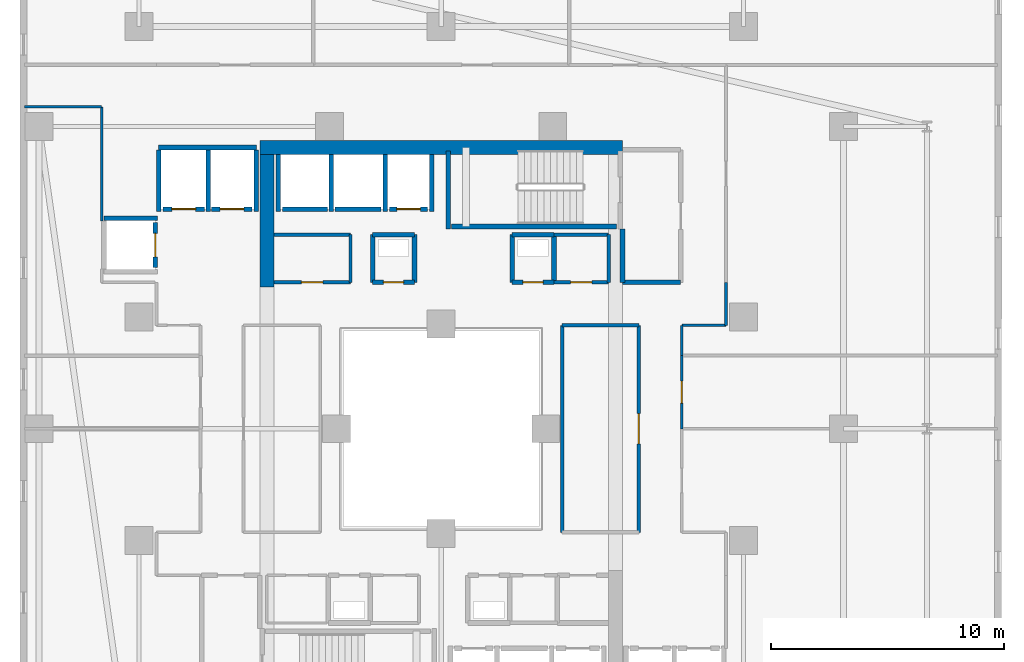
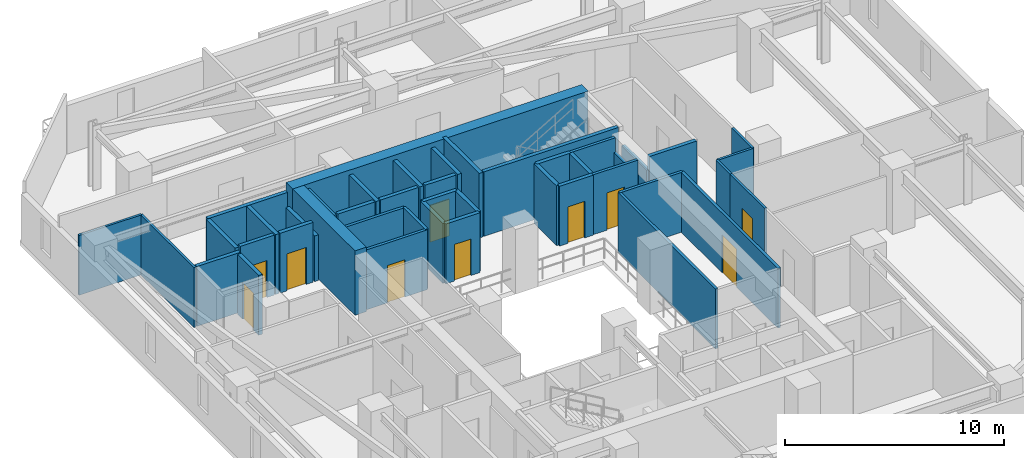
# One storey, part 18 of 31: 44 walls, 10 doors, 10 openings.
"""IFC4 building model written with IfcOpenShell, lengths in metres."""

from ifc_helpers import new_model, si_unit, direction, frame, frame_2d, origin, place, context, subcontext, project, spatial, rectangle, extrude, material, layer, layer_set, type_object, element, fill, save


model = new_model("IFC4")

# Units and contexts
model_context = context("Model", 3, precision=1e-05, world=origin(), true_north=direction((0.0, 1.0)))
body_context = subcontext(model_context, "Body", "Model", "MODEL_VIEW")
ifc_project = project(units=[si_unit("LENGTHUNIT", "METRE"), si_unit("AREAUNIT", "SQUARE_METRE"), si_unit("VOLUMEUNIT", "CUBIC_METRE"), si_unit("PLANEANGLEUNIT", "RADIAN"), si_unit("MASSUNIT", "GRAM", prefix="KILO")], contexts=[model_context])

# Site, building, storey
site_placement = place(None, origin())
site = spatial("IfcSite", under=ifc_project, at=site_placement, CompositionType="ELEMENT")
building_placement = place(site_placement, origin())
building = spatial("IfcBuilding", under=site, at=building_placement, Name="Thornwick Lancets Civic Towers", CompositionType="ELEMENT")
storey_placement = place(building_placement, frame((0.0, 0.0, 87.300048828125)))
storey = spatial("IfcBuildingStorey", under=building, at=storey_placement, Name="L22", CompositionType="ELEMENT", Elevation=87.300048828125)

# Wall, opening, door
ifc_material_1 = material(Name="Concrete blockwork C40/50", Category="masonry")
ifc_layer_1 = layer(ifc_material_1, 0.199951171875, Name="Concrete blockwork C40/50")
ifc_layer_set_1 = layer_set([ifc_layer_1], Name="Concrete blockwork C40/50")
wall_type_1 = type_object("IfcWallType", Name="WALL_COMP_200", PredefinedType="STANDARD", material=ifc_layer_set_1)
wall_1_placement = place(storey_placement, frame((24.919921875, 36.449951171875, 0.0), z_axis=(0.0, 0.0, 1.0), x_axis=(-1.0, 0.0, 0.0)))
wall_1 = element("IfcWall", 1, at=wall_1_placement, inside=storey, type_object=wall_type_1, Name="L22 Hoistway Front Wall FL-A2", PredefinedType="STANDARD", context=body_context, shape_type="SweptSolid", body=[
    extrude(rectangle(XDim=1.639892578125, YDim=0.199951171875, at=frame_2d((0.81982421875, 0.0))), origin(), (0.0, 0.0, 1.0), 3.33984375),
])
opening_1_placement = place(wall_1_placement, frame((0.31005859375, 0.0, 0.0)))
opening_1 = element("IfcOpeningElement", 2, at=opening_1_placement, cuts=wall_1, Name="Opening LD-FL-A2", PredefinedType="OPENING", context=body_context, shape_type="SweptSolid", body=[
    extrude(rectangle(XDim=1.02001953125, YDim=2.06005859375, at=frame_2d((0.510009765625, 1.030029296875))), frame((0.0, 0.10986328125, 0.0), z_axis=(0.0, -1.0, 0.0), x_axis=(1.0, 0.0, 0.0)), (0.0, 0.0, 1.0), 0.219970703125),
])
ifc_material_2 = material(Name="Brushed bronze stainless steel", Category="steel")
door_type_1 = type_object("IfcDoorType", Name="DOOR_LIFT_SLIDE", OperationType="SLIDING_TO_LEFT", PredefinedType="DOOR", material=ifc_material_2)
door_1_placement = place(opening_1_placement, origin())
door_1 = element("IfcDoor", 3, at=door_1_placement, inside=storey, type_object=door_type_1, Name="L22 Sliding Lift Landing Door LD-FL-A2", OperationType="SLIDING_TO_LEFT", OverallHeight=2.06005859375, OverallWidth=1.02001953125, PredefinedType="DOOR", context=body_context, shape_type="SweptSolid", body=[
    extrude(rectangle(XDim=1.02001953125, YDim=2.06005859375, at=frame_2d((0.510009765625, 1.030029296875))), frame((0.0, 0.02490234375, 0.0), z_axis=(0.0, -1.0, 0.0), x_axis=(1.0, 0.0, 0.0)), (0.0, 0.0, 1.0), 0.050048828125),
])
fill(opening_1, door_1)

# Walls
wall_2_placement = place(storey_placement, frame((22.919921875, 36.449951171875, 0.0), z_axis=(0.0, 0.0, 1.0), x_axis=(-1.0, 0.0, 0.0)))
element("IfcWall", 4, at=wall_2_placement, inside=storey, type_object=wall_type_1, Name="L22 Hoistway Front Wall PL-AH2", PredefinedType="STANDARD", context=body_context, shape_type="SweptSolid", body=[
    extrude(rectangle(XDim=1.989990234375, YDim=0.199951171875, at=frame_2d((0.9951171875, 0.0))), origin(), (0.0, 0.0, 1.0), 3.33984375),
])
wall_3_placement = place(storey_placement, frame((20.6201171875, 36.449951171875, 0.0), z_axis=(0.0, 0.0, 1.0), x_axis=(-1.0, 0.0, 0.0)))
element("IfcWall", 5, at=wall_3_placement, inside=storey, type_object=wall_type_1, Name="L22 Hoistway Front Wall PL-AH3", PredefinedType="STANDARD", context=body_context, shape_type="SweptSolid", body=[
    extrude(rectangle(XDim=1.940185546875, YDim=0.199951171875, at=frame_2d((0.97021484375, 0.0))), origin(), (0.0, 0.0, 1.0), 3.33984375),
])

# Wall, opening, door
wall_4_placement = place(storey_placement, frame((17.3701171875, 36.449951171875, 0.0), z_axis=(0.0, 0.0, 1.0), x_axis=(-1.0, 0.0, 0.0)))
wall_4 = element("IfcWall", 6, at=wall_4_placement, inside=storey, type_object=wall_type_1, Name="L22 Hoistway Front Wall PL-AM1", PredefinedType="STANDARD", context=body_context, shape_type="SweptSolid", body=[
    extrude(rectangle(XDim=1.740234375, YDim=0.199951171875, at=frame_2d((0.8701171875, 0.0))), origin(), (0.0, 0.0, 1.0), 3.33984375),
])
opening_2_placement = place(wall_4_placement, frame((0.360107421875, 0.0, 0.0)))
opening_2 = element("IfcOpeningElement", 7, at=opening_2_placement, cuts=wall_4, Name="Opening LD-PL-AM1", PredefinedType="OPENING", context=body_context, shape_type="SweptSolid", body=[
    extrude(rectangle(XDim=1.02001953125, YDim=2.06005859375, at=frame_2d((0.510009765625, 1.030029296875))), frame((0.0, 0.10986328125, 0.0), z_axis=(0.0, -1.0, 0.0), x_axis=(1.0, 0.0, 0.0)), (0.0, 0.0, 1.0), 0.219970703125),
])
door_2_placement = place(opening_2_placement, origin())
door_2 = element("IfcDoor", 8, at=door_2_placement, inside=storey, type_object=door_type_1, Name="L22 Sliding Lift Landing Door LD-PL-AM1", OperationType="SLIDING_TO_LEFT", OverallHeight=2.06005859375, OverallWidth=1.02001953125, PredefinedType="DOOR", context=body_context, shape_type="SweptSolid", body=[
    extrude(rectangle(XDim=1.02001953125, YDim=2.06005859375, at=frame_2d((0.510009765625, 1.030029296875))), frame((0.0, 0.02490234375, 0.0), z_axis=(0.0, -1.0, 0.0), x_axis=(1.0, 0.0, 0.0)), (0.0, 0.0, 1.0), 0.050048828125),
])
fill(opening_2, door_2)

wall_5_placement = place(storey_placement, frame((15.320068359375, 36.449951171875, 0.0), z_axis=(0.0, 0.0, 1.0), x_axis=(-1.0, 0.0, 0.0)))
wall_5 = element("IfcWall", 9, at=wall_5_placement, inside=storey, type_object=wall_type_1, Name="L22 Hoistway Front Wall PL-AM2", PredefinedType="STANDARD", context=body_context, shape_type="SweptSolid", body=[
    extrude(rectangle(XDim=1.7900390625, YDim=0.199951171875, at=frame_2d((0.89501953125, 0.0))), origin(), (0.0, 0.0, 1.0), 3.33984375),
])
opening_3_placement = place(wall_5_placement, frame((0.385009765625, 0.0, 0.0)))
opening_3 = element("IfcOpeningElement", 10, at=opening_3_placement, cuts=wall_5, Name="Opening LD-PL-AM2", PredefinedType="OPENING", context=body_context, shape_type="SweptSolid", body=[
    extrude(rectangle(XDim=1.02001953125, YDim=2.06005859375, at=frame_2d((0.510009765625, 1.030029296875))), frame((0.0, 0.10986328125, 0.0), z_axis=(0.0, -1.0, 0.0), x_axis=(1.0, 0.0, 0.0)), (0.0, 0.0, 1.0), 0.219970703125),
])
door_3_placement = place(opening_3_placement, origin())
door_3 = element("IfcDoor", 11, at=door_3_placement, inside=storey, type_object=door_type_1, Name="L22 Sliding Lift Landing Door LD-PL-AM2", OperationType="SLIDING_TO_LEFT", OverallHeight=2.06005859375, OverallWidth=1.02001953125, PredefinedType="DOOR", context=body_context, shape_type="SweptSolid", body=[
    extrude(rectangle(XDim=1.02001953125, YDim=2.06005859375, at=frame_2d((0.510009765625, 1.030029296875))), frame((0.0, 0.02490234375, 0.0), z_axis=(0.0, -1.0, 0.0), x_axis=(1.0, 0.0, 0.0)), (0.0, 0.0, 1.0), 0.050048828125),
])
fill(opening_3, door_3)

wall_6_placement = place(storey_placement, frame((13.199951171875, 33.929931640625, 0.0), z_axis=(0.0, 0.0, 1.0), x_axis=(0.0, 1.0, 0.0)))
wall_6 = element("IfcWall", 12, at=wall_6_placement, inside=storey, type_object=wall_type_1, Name="L22 Hoistway Front Wall PL-AM3", PredefinedType="STANDARD", context=body_context, shape_type="SweptSolid", body=[
    extrude(rectangle(XDim=1.940185546875, YDim=0.199951171875, at=frame_2d((0.97021484375, 0.0))), origin(), (0.0, 0.0, 1.0), 3.33984375),
])
opening_4_placement = place(wall_6_placement, frame((0.4599609375, 0.0, 0.0)))
opening_4 = element("IfcOpeningElement", 13, at=opening_4_placement, cuts=wall_6, Name="Opening LD-PL-AM3", PredefinedType="OPENING", context=body_context, shape_type="SweptSolid", body=[
    extrude(rectangle(XDim=1.02001953125, YDim=2.06005859375, at=frame_2d((0.510009765625, 1.030029296875))), frame((0.0, 0.10986328125, 0.0), z_axis=(0.0, -1.0, 0.0), x_axis=(1.0, 0.0, 0.0)), (0.0, 0.0, 1.0), 0.219970703125),
])
door_4_placement = place(opening_4_placement, origin())
door_4 = element("IfcDoor", 14, at=door_4_placement, inside=storey, type_object=door_type_1, Name="L22 Sliding Lift Landing Door LD-PL-AM3", OperationType="SLIDING_TO_LEFT", OverallHeight=2.06005859375, OverallWidth=1.02001953125, PredefinedType="DOOR", context=body_context, shape_type="SweptSolid", body=[
    extrude(rectangle(XDim=1.02001953125, YDim=2.06005859375, at=frame_2d((0.510009765625, 1.030029296875))), frame((0.0, 0.02490234375, 0.0), z_axis=(0.0, -1.0, 0.0), x_axis=(1.0, 0.0, 0.0)), (0.0, 0.0, 1.0), 0.050048828125),
])
fill(opening_4, door_4)

# Walls
for number, where, z_axis, x_axis, name in (
    (15, (25.10009765625, 36.35205078125, 0.0), (0.0, 0.0, 1.0), (0.0, 1.0, 0.0), "L22 Hoistway Shaft Wall FL-A2 E"),
    (16, (23.10009765625, 36.35205078125, 0.0), (0.0, 0.0, 1.0), (0.0, 1.0, 0.0), "L22 Hoistway Shaft Wall FL-A2 W"),
    (17, (20.77490234375, 36.35205078125, 0.0), (0.0, 0.0, 1.0), (0.0, 1.0, 0.0), "L22 Hoistway Shaft Wall PL-AH2 W"),
    (18, (18.5, 36.35205078125, 0.0), (0.0, 0.0, 1.0), (0.0, 1.0, 0.0), "L22 Hoistway Shaft Wall PL-AH3 W"),
):
    element("IfcWall", number, at=place(storey_placement, frame(where, z_axis=z_axis, x_axis=x_axis)), inside=storey, type_object=wall_type_1, Name=name, PredefinedType="STANDARD", context=body_context, shape_type="SweptSolid", body=[
        extrude(rectangle(XDim=2.43603515625, YDim=0.199951171875, at=frame_2d((1.218017578125, 0.0))), origin(), (0.0, 0.0, 1.0), 3.33984375),
    ])
wall_7_placement = place(storey_placement, frame((13.35205078125, 39.10009765625, 0.0), z_axis=(0.0, 0.0, 1.0), x_axis=(1.0, 0.0, 0.0)))
element("IfcWall", 19, at=wall_7_placement, inside=storey, type_object=wall_type_1, Name="L22 Hoistway Shaft Wall PL-AM1 N", PredefinedType="STANDARD", context=body_context, shape_type="SweptSolid", body=[
    extrude(rectangle(XDim=4.196044921875, YDim=0.199951171875, at=frame_2d((2.09814453125, 0.0))), origin(), (0.0, 0.0, 1.0), 3.33984375),
])
wall_8_placement = place(storey_placement, frame((17.550048828125, 36.35205078125, 0.0), z_axis=(0.0, 0.0, 1.0), x_axis=(0.0, 1.0, 0.0)))
element("IfcWall", 20, at=wall_8_placement, inside=storey, type_object=wall_type_1, Name="L22 Hoistway Shaft Wall PL-AM1 E", PredefinedType="STANDARD", context=body_context, shape_type="SweptSolid", body=[
    extrude(rectangle(XDim=2.635986328125, YDim=0.199951171875, at=frame_2d((1.31787109375, 0.0))), origin(), (0.0, 0.0, 1.0), 2.544921875),
])
for number, where, z_axis, x_axis, name in (
    (21, (15.47509765625, 36.35205078125, 0.0), (0.0, 0.0, 1.0), (0.0, 1.0, 0.0), "L22 Hoistway Shaft Wall PL-AM1 W"),
    (22, (13.35009765625, 36.35205078125, 0.0), (0.0, 0.0, 1.0), (0.0, 1.0, 0.0), "L22 Hoistway Shaft Wall PL-AM2 W"),
):
    element("IfcWall", number, at=place(storey_placement, frame(where, z_axis=z_axis, x_axis=x_axis)), inside=storey, type_object=wall_type_1, Name=name, PredefinedType="STANDARD", context=body_context, shape_type="SweptSolid", body=[
        extrude(rectangle(XDim=2.635986328125, YDim=0.199951171875, at=frame_2d((1.31787109375, 0.0))), origin(), (0.0, 0.0, 1.0), 3.33984375),
    ])
wall_9_placement = place(storey_placement, frame((11.001953125, 36.050048828125, 0.0), z_axis=(0.0, 0.0, 1.0), x_axis=(1.0, 0.0, 0.0)))
element("IfcWall", 23, at=wall_9_placement, inside=storey, type_object=wall_type_1, Name="L22 Hoistway Shaft Wall PL-AM3 N", PredefinedType="STANDARD", context=body_context, shape_type="SweptSolid", body=[
    extrude(rectangle(XDim=2.296142578125, YDim=0.199951171875, at=frame_2d((1.14794921875, 0.0))), origin(), (0.0, 0.0, 1.0), 3.33984375),
])
wall_10_placement = place(storey_placement, frame((33.300048828125, 33.300048828125, 0.0), z_axis=(0.0, 0.0, 1.0), x_axis=(1.0, 0.0, 0.0)))
element("IfcWall", 24, at=wall_10_placement, inside=storey, type_object=wall_type_1, Name="L22 Partition L22-A-FFLOB2 E1", PredefinedType="STANDARD", context=body_context, shape_type="SweptSolid", body=[
    extrude(rectangle(XDim=2.5, YDim=0.199951171875, at=frame_2d((1.25, 0.0))), origin(), (0.0, 0.0, 1.0), 3.33984375),
])
wall_11_placement = place(storey_placement, frame((33.300048828125, 35.60009765625, 0.0), z_axis=(0.0, 0.0, 1.0), x_axis=(0.0, -1.0, 0.0)))
element("IfcWall", 25, at=wall_11_placement, inside=storey, type_object=wall_type_1, Name="L22 Partition L22-A-FFLOB2 E4", PredefinedType="STANDARD", context=body_context, shape_type="SweptSolid", body=[
    extrude(rectangle(XDim=2.300048828125, YDim=0.199951171875, at=frame_2d((1.14990234375, 0.0))), origin(), (0.0, 0.0, 1.0), 2.544921875),
])

# Wall, opening, door
wall_12_placement = place(storey_placement, frame((22.550048828125, 33.300048828125, 0.0), z_axis=(0.0, 0.0, 1.0), x_axis=(1.0, 0.0, 0.0)))
wall_12 = element("IfcWall", 26, at=wall_12_placement, inside=storey, type_object=wall_type_1, Name="L22 Partition L22-A-DUCT2 E1", PredefinedType="STANDARD", context=body_context, shape_type="SweptSolid", body=[
    extrude(rectangle(XDim=1.800048828125, YDim=0.199951171875, at=frame_2d((0.89990234375, 0.0))), origin(), (0.0, 0.0, 1.0), 3.33984375),
])
opening_5_placement = place(wall_12_placement, frame((0.4599609375, 0.0, 0.0)))
opening_5 = element("IfcOpeningElement", 27, at=opening_5_placement, cuts=wall_12, Name="Opening D-L22-1011", PredefinedType="OPENING", context=body_context, shape_type="SweptSolid", body=[
    extrude(rectangle(XDim=0.8798828125, YDim=2.0400390625, at=frame_2d((0.43994140625, 1.02001953125))), frame((0.0, 0.10986328125, 0.0), z_axis=(0.0, -1.0, 0.0), x_axis=(1.0, 0.0, 0.0)), (0.0, 0.0, 1.0), 0.219970703125),
])
ifc_material_3 = material(Name="Steel riser access doorset", Category="steel")
door_type_2 = type_object("IfcDoorType", Name="DOOR_RISER_850", OperationType="NOTDEFINED", PredefinedType="DOOR", material=ifc_material_3)
door_5_placement = place(opening_5_placement, origin())
door_5 = element("IfcDoor", 28, at=door_5_placement, inside=storey, type_object=door_type_2, Name="L22 North Service Duct 2 Door", OperationType="SINGLE_SWING_RIGHT", OverallHeight=2.0400390625, OverallWidth=0.8798828125, PredefinedType="DOOR", context=body_context, shape_type="SweptSolid", body=[
    extrude(rectangle(XDim=0.8798828125, YDim=2.0400390625, at=frame_2d((0.43994140625, 1.02001953125))), frame((0.0, 0.02490234375, 0.0), z_axis=(0.0, -1.0, 0.0), x_axis=(1.0, 0.0, 0.0)), (0.0, 0.0, 1.0), 0.050048828125),
])
fill(opening_5, door_5)

# Walls
wall_13_placement = place(storey_placement, frame((24.35009765625, 33.300048828125, 0.0), z_axis=(0.0, 0.0, 1.0), x_axis=(0.0, 1.0, 0.0)))
element("IfcWall", 29, at=wall_13_placement, inside=storey, type_object=wall_type_1, Name="L22 Partition L22-A-DUCT2 E2", PredefinedType="STANDARD", context=body_context, shape_type="SweptSolid", body=[
    extrude(rectangle(XDim=2.050048828125, YDim=0.199951171875, at=frame_2d((1.02490234375, 0.0))), origin(), (0.0, 0.0, 1.0), 3.33984375),
])
wall_14_placement = place(storey_placement, frame((24.35009765625, 35.35009765625, 0.0), z_axis=(0.0, 0.0, 1.0), x_axis=(-1.0, 0.0, 0.0)))
element("IfcWall", 30, at=wall_14_placement, inside=storey, type_object=wall_type_1, Name="L22 Partition L22-A-DUCT2 E3", PredefinedType="STANDARD", context=body_context, shape_type="SweptSolid", body=[
    extrude(rectangle(XDim=1.800048828125, YDim=0.199951171875, at=frame_2d((0.89990234375, 0.0))), origin(), (0.0, 0.0, 1.0), 3.33984375),
])
wall_15_placement = place(storey_placement, frame((22.550048828125, 35.35009765625, 0.0), z_axis=(0.0, 0.0, 1.0), x_axis=(0.0, -1.0, 0.0)))
element("IfcWall", 31, at=wall_15_placement, inside=storey, type_object=wall_type_1, Name="L22 Partition L22-A-DUCT2 E4", PredefinedType="STANDARD", context=body_context, shape_type="SweptSolid", body=[
    extrude(rectangle(XDim=2.050048828125, YDim=0.199951171875, at=frame_2d((1.02490234375, 0.0))), origin(), (0.0, 0.0, 1.0), 3.33984375),
])

# Wall, opening, door
wall_16_placement = place(storey_placement, frame((28.550048828125, 33.300048828125, 0.0), z_axis=(0.0, 0.0, 1.0), x_axis=(1.0, 0.0, 0.0)))
wall_16 = element("IfcWall", 32, at=wall_16_placement, inside=storey, type_object=wall_type_1, Name="L22 Partition L22-A-RISER2 E1", PredefinedType="STANDARD", context=body_context, shape_type="SweptSolid", body=[
    extrude(rectangle(XDim=1.800048828125, YDim=0.199951171875, at=frame_2d((0.89990234375, 0.0))), origin(), (0.0, 0.0, 1.0), 3.33984375),
])
opening_6_placement = place(wall_16_placement, frame((0.4599609375, 0.0, 0.0)))
opening_6 = element("IfcOpeningElement", 33, at=opening_6_placement, cuts=wall_16, Name="Opening D-L22-1012", PredefinedType="OPENING", context=body_context, shape_type="SweptSolid", body=[
    extrude(rectangle(XDim=0.8798828125, YDim=2.0400390625, at=frame_2d((0.43994140625, 1.02001953125))), frame((0.0, 0.10986328125, 0.0), z_axis=(0.0, -1.0, 0.0), x_axis=(1.0, 0.0, 0.0)), (0.0, 0.0, 1.0), 0.219970703125),
])
door_6_placement = place(opening_6_placement, origin())
door_6 = element("IfcDoor", 34, at=door_6_placement, inside=storey, type_object=door_type_2, Name="L22 North Service Riser 2 Door", OperationType="SINGLE_SWING_LEFT", OverallHeight=2.0400390625, OverallWidth=0.8798828125, PredefinedType="DOOR", context=body_context, shape_type="SweptSolid", body=[
    extrude(rectangle(XDim=0.8798828125, YDim=2.0400390625, at=frame_2d((0.43994140625, 1.02001953125))), frame((0.0, 0.02490234375, 0.0), z_axis=(0.0, -1.0, 0.0), x_axis=(1.0, 0.0, 0.0)), (0.0, 0.0, 1.0), 0.050048828125),
])
fill(opening_6, door_6)

# Walls
wall_17_placement = place(storey_placement, frame((30.35009765625, 33.300048828125, 0.0), z_axis=(0.0, 0.0, 1.0), x_axis=(0.0, 1.0, 0.0)))
element("IfcWall", 35, at=wall_17_placement, inside=storey, type_object=wall_type_1, Name="L22 Partition L22-A-RISER2 E2", PredefinedType="STANDARD", context=body_context, shape_type="SweptSolid", body=[
    extrude(rectangle(XDim=2.050048828125, YDim=0.199951171875, at=frame_2d((1.02490234375, 0.0))), origin(), (0.0, 0.0, 1.0), 3.33984375),
])
wall_18_placement = place(storey_placement, frame((30.35009765625, 35.35009765625, 0.0), z_axis=(0.0, 0.0, 1.0), x_axis=(-1.0, 0.0, 0.0)))
element("IfcWall", 36, at=wall_18_placement, inside=storey, type_object=wall_type_1, Name="L22 Partition L22-A-RISER2 E3", PredefinedType="STANDARD", context=body_context, shape_type="SweptSolid", body=[
    extrude(rectangle(XDim=1.800048828125, YDim=0.199951171875, at=frame_2d((0.89990234375, 0.0))), origin(), (0.0, 0.0, 1.0), 3.33984375),
])
wall_19_placement = place(storey_placement, frame((28.550048828125, 35.35009765625, 0.0), z_axis=(0.0, 0.0, 1.0), x_axis=(0.0, -1.0, 0.0)))
element("IfcWall", 37, at=wall_19_placement, inside=storey, type_object=wall_type_1, Name="L22 Partition L22-A-RISER2 E4", PredefinedType="STANDARD", context=body_context, shape_type="SweptSolid", body=[
    extrude(rectangle(XDim=2.050048828125, YDim=0.199951171875, at=frame_2d((1.02490234375, 0.0))), origin(), (0.0, 0.0, 1.0), 3.33984375),
])
ifc_material_4 = material(Name="Concrete C60/75", Category="concrete")
ifc_layer_2 = layer(ifc_material_4, 0.60009765625, Name="Concrete C60/75")
ifc_layer_set_2 = layer_set([ifc_layer_2], Name="Concrete C60/75")
wall_type_2 = type_object("IfcWallType", Name="WALL_CORE_600", PredefinedType="SHEAR", material=ifc_layer_set_2)
wall_20_placement = place(storey_placement, frame((17.699951171875, 39.10009765625, 0.0), z_axis=(0.0, 0.0, 1.0), x_axis=(1.0, 0.0, 0.0)))
element("IfcWall", 38, at=wall_20_placement, inside=storey, type_object=wall_type_2, Name="L22 Split Core A2 Shear Wall N", PredefinedType="SHEAR", context=body_context, shape_type="SweptSolid", body=[
    extrude(rectangle(XDim=15.60009765625, YDim=0.60009765625, at=frame_2d((7.800048828125, 0.0))), origin(), (0.0, 0.0, 1.0), 3.599853515625),
])
wall_21_placement = place(storey_placement, frame((18.0, 33.10009765625, 0.0), z_axis=(0.0, 0.0, 1.0), x_axis=(0.0, 1.0, 0.0)))
element("IfcWall", 39, at=wall_21_placement, inside=storey, type_object=wall_type_2, Name="L22 Split Core A2 Shear Wall W", PredefinedType="SHEAR", context=body_context, shape_type="SweptSolid", body=[
    extrude(rectangle(XDim=5.699951171875, YDim=0.60009765625, at=frame_2d((2.85009765625, 0.0))), origin(), (0.0, 0.0, 1.0), 3.599853515625),
])
ifc_material_5 = material(Name="Acoustic gypsum board partition")
ifc_layer_3 = layer(ifc_material_5, 0.1201171875, Name="Acoustic gypsum board partition")
ifc_layer_set_3 = layer_set([ifc_layer_3], Name="Acoustic gypsum board partition")
wall_type_3 = type_object("IfcWallType", Name="WALL_PART_120", PredefinedType="PARTITIONING", material=ifc_layer_set_3)
wall_22_placement = place(storey_placement, frame((7.580078125, 40.85009765625, 0.0), z_axis=(0.0, 0.0, 1.0), x_axis=(1.0, 0.0, 0.0)))
element("IfcWall", 40, at=wall_22_placement, inside=storey, type_object=wall_type_3, Name="L22 Partition L22-A-W3 E8", PredefinedType="PARTITIONING", context=body_context, shape_type="SweptSolid", body=[
    extrude(rectangle(XDim=3.31982421875, YDim=0.1201171875, at=frame_2d((1.659912109375, 0.0))), origin(), (0.0, 0.0, 1.0), 3.33984375),
])
wall_23_placement = place(storey_placement, frame((10.89990234375, 40.85009765625, 0.0), z_axis=(0.0, 0.0, 1.0), x_axis=(0.0, -1.0, 0.0)))
element("IfcWall", 41, at=wall_23_placement, inside=storey, type_object=wall_type_3, Name="L22 Partition L22-A-W3 E9", PredefinedType="PARTITIONING", context=body_context, shape_type="SweptSolid", body=[
    extrude(rectangle(XDim=4.912109375, YDim=0.1201171875, at=frame_2d((2.4560546875, 0.0))), origin(), (0.0, 0.0, 1.0), 3.33984375),
])

# Wall, opening, door
wall_24_placement = place(storey_placement, frame((35.85009765625, 27.0, 0.0), z_axis=(0.0, 0.0, 1.0), x_axis=(0.0, 1.0, 0.0)))
wall_24 = element("IfcWall", 42, at=wall_24_placement, inside=storey, type_object=wall_type_3, Name="L22 Partition L22-A-E2 E1", PredefinedType="PARTITIONING", context=body_context, shape_type="SweptSolid", body=[
    extrude(rectangle(XDim=3.14990234375, YDim=0.1201171875, at=frame_2d((1.574951171875, 0.0))), origin(), (0.0, 0.0, 1.0), 3.33984375),
])
opening_7_placement = place(wall_24_placement, frame((1.10009765625, 0.0, 0.0)))
opening_7 = element("IfcOpeningElement", 43, at=opening_7_placement, cuts=wall_24, Name="Opening D-L22-1035", PredefinedType="OPENING", context=body_context, shape_type="SweptSolid", body=[
    extrude(rectangle(XDim=0.949951171875, YDim=2.10009765625, at=frame_2d((0.47509765625, 1.050048828125))), frame((0.0, 0.070068359375, 0.0), z_axis=(0.0, -1.0, 0.0), x_axis=(1.0, 0.0, 0.0)), (0.0, 0.0, 1.0), 0.14013671875),
])
ifc_material_6 = material(Name="European oak acoustic doorset")
door_type_3 = type_object("IfcDoorType", Name="DOOR_OFFICE_950", OperationType="NOTDEFINED", PredefinedType="DOOR", material=ifc_material_6)
door_7_placement = place(opening_7_placement, origin())
door_7 = element("IfcDoor", 44, at=door_7_placement, inside=storey, type_object=door_type_3, Name="L22 Tower A Visitors Reception and Waiting Door", OperationType="SINGLE_SWING_RIGHT", OverallHeight=2.10009765625, OverallWidth=0.949951171875, PredefinedType="DOOR", context=body_context, shape_type="SweptSolid", body=[
    extrude(rectangle(XDim=0.949951171875, YDim=2.10009765625, at=frame_2d((0.47509765625, 1.050048828125))), frame((0.0, 0.02490234375, 0.0), z_axis=(0.0, -1.0, 0.0), x_axis=(1.0, 0.0, 0.0)), (0.0, 0.0, 1.0), 0.050048828125),
])
fill(opening_7, door_7)

# Walls
wall_25_placement = place(storey_placement, frame((35.85009765625, 31.449951171875, 0.0), z_axis=(0.0, 0.0, 1.0), x_axis=(1.0, 0.0, 0.0)))
element("IfcWall", 45, at=wall_25_placement, inside=storey, type_object=wall_type_3, Name="L22 Partition L22-A-E3 E1", PredefinedType="PARTITIONING", context=body_context, shape_type="SweptSolid", body=[
    extrude(rectangle(XDim=1.89990234375, YDim=0.1201171875, at=frame_2d((0.949951171875, 0.0))), origin(), (0.0, 0.0, 1.0), 3.33984375),
])
wall_26_placement = place(storey_placement, frame((37.75, 31.449951171875, 0.0), z_axis=(0.0, 0.0, 1.0), x_axis=(0.0, 1.0, 0.0)))
element("IfcWall", 46, at=wall_26_placement, inside=storey, type_object=wall_type_3, Name="L22 Partition L22-A-E3 E2", PredefinedType="PARTITIONING", context=body_context, shape_type="SweptSolid", body=[
    extrude(rectangle(XDim=1.85009765625, YDim=0.1201171875, at=frame_2d((0.925048828125, 0.0))), origin(), (0.0, 0.0, 1.0), 3.33984375),
])
wall_27_placement = place(storey_placement, frame((35.85009765625, 30.14990234375, 0.0), z_axis=(0.0, 0.0, 1.0), x_axis=(0.0, 1.0, 0.0)))
element("IfcWall", 47, at=wall_27_placement, inside=storey, type_object=wall_type_3, Name="L22 Partition L22-A-E3 E7", PredefinedType="PARTITIONING", context=body_context, shape_type="SweptSolid", body=[
    extrude(rectangle(XDim=1.300048828125, YDim=0.1201171875, at=frame_2d((0.64990234375, 0.0))), origin(), (0.0, 0.0, 1.0), 3.33984375),
])

# Wall, opening, door
ifc_material_7 = material(Name="Twin-stud acoustic gypsum board")
ifc_layer_4 = layer(ifc_material_7, 0.14990234375, Name="Twin-stud acoustic gypsum board")
ifc_layer_set_4 = layer_set([ifc_layer_4], Name="Twin-stud acoustic gypsum board")
wall_type_4 = type_object("IfcWallType", Name="WALL_PART_150", PredefinedType="PARTITIONING", material=ifc_layer_set_4)
wall_28_placement = place(storey_placement, frame((18.300048828125, 33.300048828125, 0.0), z_axis=(0.0, 0.0, 1.0), x_axis=(1.0, 0.0, 0.0)))
wall_28 = element("IfcWall", 48, at=wall_28_placement, inside=storey, type_object=wall_type_4, Name="L22 Partition L22-A-MWC E1", PredefinedType="PARTITIONING", context=body_context, shape_type="SweptSolid", body=[
    extrude(rectangle(XDim=3.300048828125, YDim=0.14990234375, at=frame_2d((1.64990234375, 0.0))), origin(), (0.0, 0.0, 1.0), 3.33984375),
])
opening_8_placement = place(wall_28_placement, frame((1.18994140625, 0.0, 0.0)))
opening_8 = element("IfcOpeningElement", 49, at=opening_8_placement, cuts=wall_28, Name="Opening D-L22-1017", PredefinedType="OPENING", context=body_context, shape_type="SweptSolid", body=[
    extrude(rectangle(XDim=0.919921875, YDim=2.080078125, at=frame_2d((0.4599609375, 1.0400390625))), frame((0.0, 0.0849609375, 0.0), z_axis=(0.0, -1.0, 0.0), x_axis=(1.0, 0.0, 0.0)), (0.0, 0.0, 1.0), 0.169921875),
])
ifc_material_8 = material(Name="Moisture-resistant oak doorset")
door_type_4 = type_object("IfcDoorType", Name="DOOR_WC_900", OperationType="NOTDEFINED", PredefinedType="DOOR", material=ifc_material_8)
door_8_placement = place(opening_8_placement, origin())
door_8 = element("IfcDoor", 50, at=door_8_placement, inside=storey, type_object=door_type_4, Name="L22 Tower A Male WC Door", OperationType="SINGLE_SWING_RIGHT", OverallHeight=2.080078125, OverallWidth=0.919921875, PredefinedType="DOOR", context=body_context, shape_type="SweptSolid", body=[
    extrude(rectangle(XDim=0.919921875, YDim=2.080078125, at=frame_2d((0.4599609375, 1.0400390625))), frame((0.0, 0.02490234375, 0.0), z_axis=(0.0, -1.0, 0.0), x_axis=(1.0, 0.0, 0.0)), (0.0, 0.0, 1.0), 0.050048828125),
])
fill(opening_8, door_8)

# Walls
wall_29_placement = place(storey_placement, frame((21.60009765625, 33.300048828125, 0.0), z_axis=(0.0, 0.0, 1.0), x_axis=(0.0, 1.0, 0.0)))
element("IfcWall", 51, at=wall_29_placement, inside=storey, type_object=wall_type_4, Name="L22 Partition L22-A-MWC E2", PredefinedType="PARTITIONING", context=body_context, shape_type="SweptSolid", body=[
    extrude(rectangle(XDim=2.050048828125, YDim=0.14990234375, at=frame_2d((1.02490234375, 0.0))), origin(), (0.0, 0.0, 1.0), 3.33984375),
])
wall_30_placement = place(storey_placement, frame((21.60009765625, 35.35009765625, 0.0), z_axis=(0.0, 0.0, 1.0), x_axis=(-1.0, 0.0, 0.0)))
element("IfcWall", 52, at=wall_30_placement, inside=storey, type_object=wall_type_4, Name="L22 Partition L22-A-MWC E3", PredefinedType="PARTITIONING", context=body_context, shape_type="SweptSolid", body=[
    extrude(rectangle(XDim=3.300048828125, YDim=0.14990234375, at=frame_2d((1.64990234375, 0.0))), origin(), (0.0, 0.0, 1.0), 3.33984375),
])
wall_31_placement = place(storey_placement, frame((32.699951171875, 35.35009765625, 0.0), z_axis=(0.0, 0.0, 1.0), x_axis=(0.0, -1.0, 0.0)))
element("IfcWall", 53, at=wall_31_placement, inside=storey, type_object=wall_type_4, Name="L22 Partition L22-A-FWC E1", PredefinedType="PARTITIONING", context=body_context, shape_type="SweptSolid", body=[
    extrude(rectangle(XDim=2.050048828125, YDim=0.14990234375, at=frame_2d((1.02490234375, 0.0))), origin(), (0.0, 0.0, 1.0), 2.544921875),
])

# Wall, opening, door
wall_32_placement = place(storey_placement, frame((32.699951171875, 33.300048828125, 0.0), z_axis=(0.0, 0.0, 1.0), x_axis=(-1.0, 0.0, 0.0)))
wall_32 = element("IfcWall", 54, at=wall_32_placement, inside=storey, type_object=wall_type_4, Name="L22 Partition L22-A-FWC E2", PredefinedType="PARTITIONING", context=body_context, shape_type="SweptSolid", body=[
    extrude(rectangle(XDim=2.349853515625, YDim=0.14990234375, at=frame_2d((1.1748046875, 0.0))), origin(), (0.0, 0.0, 1.0), 3.33984375),
])
opening_9_placement = place(wall_32_placement, frame((0.715087890625, 0.0, 0.0)))
opening_9 = element("IfcOpeningElement", 55, at=opening_9_placement, cuts=wall_32, Name="Opening D-L22-1018", PredefinedType="OPENING", context=body_context, shape_type="SweptSolid", body=[
    extrude(rectangle(XDim=0.919921875, YDim=2.080078125, at=frame_2d((0.4599609375, 1.0400390625))), frame((0.0, 0.0849609375, 0.0), z_axis=(0.0, -1.0, 0.0), x_axis=(1.0, 0.0, 0.0)), (0.0, 0.0, 1.0), 0.169921875),
])
door_9_placement = place(opening_9_placement, origin())
door_9 = element("IfcDoor", 56, at=door_9_placement, inside=storey, type_object=door_type_4, Name="L22 Tower A Female WC Door", OperationType="SINGLE_SWING_LEFT", OverallHeight=2.080078125, OverallWidth=0.919921875, PredefinedType="DOOR", context=body_context, shape_type="SweptSolid", body=[
    extrude(rectangle(XDim=0.919921875, YDim=2.080078125, at=frame_2d((0.4599609375, 1.0400390625))), frame((0.0, 0.02490234375, 0.0), z_axis=(0.0, -1.0, 0.0), x_axis=(1.0, 0.0, 0.0)), (0.0, 0.0, 1.0), 0.050048828125),
])
fill(opening_9, door_9)

# Walls
wall_33_placement = place(storey_placement, frame((30.35009765625, 35.35009765625, 0.0), z_axis=(0.0, 0.0, 1.0), x_axis=(1.0, 0.0, 0.0)))
element("IfcWall", 57, at=wall_33_placement, inside=storey, type_object=wall_type_4, Name="L22 Partition L22-A-FWC E4", PredefinedType="PARTITIONING", context=body_context, shape_type="SweptSolid", body=[
    extrude(rectangle(XDim=2.349853515625, YDim=0.14990234375, at=frame_2d((1.1748046875, 0.0))), origin(), (0.0, 0.0, 1.0), 3.33984375),
])
wall_34_placement = place(storey_placement, frame((30.699951171875, 22.550048828125, 0.0), z_axis=(0.0, 0.0, 1.0), x_axis=(0.0, 1.0, 0.0)))
element("IfcWall", 58, at=wall_34_placement, inside=storey, type_object=wall_type_4, Name="L22 Partition L22-A-ATR-E E1", PredefinedType="PARTITIONING", context=body_context, shape_type="SweptSolid", body=[
    extrude(rectangle(XDim=8.89990234375, YDim=0.14990234375, at=frame_2d((4.449951171875, 0.0))), origin(), (0.0, 0.0, 1.0), 3.33984375),
])
wall_35_placement = place(storey_placement, frame((30.699951171875, 31.449951171875, 0.0), z_axis=(0.0, 0.0, 1.0), x_axis=(1.0, 0.0, 0.0)))
element("IfcWall", 59, at=wall_35_placement, inside=storey, type_object=wall_type_4, Name="L22 Partition L22-A-ATR-E E2", PredefinedType="PARTITIONING", context=body_context, shape_type="SweptSolid", body=[
    extrude(rectangle(XDim=3.300048828125, YDim=0.14990234375, at=frame_2d((1.64990234375, 0.0))), origin(), (0.0, 0.0, 1.0), 3.33984375),
])

# Wall, opening, door
wall_36_placement = place(storey_placement, frame((34.0, 31.449951171875, 0.0), z_axis=(0.0, 0.0, 1.0), x_axis=(0.0, -1.0, 0.0)))
wall_36 = element("IfcWall", 60, at=wall_36_placement, inside=storey, type_object=wall_type_4, Name="L22 Partition L22-A-ATR-E E3", PredefinedType="PARTITIONING", context=body_context, shape_type="SweptSolid", body=[
    extrude(rectangle(XDim=8.89990234375, YDim=0.14990234375, at=frame_2d((4.449951171875, 0.0))), origin(), (0.0, 0.0, 1.0), 3.33984375),
])
opening_10_placement = place(wall_36_placement, frame((3.800048828125, 0.0, 0.0)))
opening_10 = element("IfcOpeningElement", 61, at=opening_10_placement, cuts=wall_36, Name="Opening D-L22-1037", PredefinedType="OPENING", context=body_context, shape_type="SweptSolid", body=[
    extrude(rectangle(XDim=1.300048828125, YDim=2.1201171875, at=frame_2d((0.64990234375, 1.06005859375))), frame((0.0, 0.0849609375, 0.0), z_axis=(0.0, -1.0, 0.0), x_axis=(1.0, 0.0, 0.0)), (0.0, 0.0, 1.0), 0.169921875),
])
ifc_material_9 = material(Name="Acoustic oak leaf-and-a-half doorset")
door_type_5 = type_object("IfcDoorType", Name="DOOR_MEET_1300", OperationType="DOUBLE_DOOR_SINGLE_SWING", PredefinedType="DOOR", material=ifc_material_9)
door_10_placement = place(opening_10_placement, origin())
door_10 = element("IfcDoor", 62, at=door_10_placement, inside=storey, type_object=door_type_5, Name="L22 Tower A East Atrium Briefing Suite Door", OperationType="DOUBLE_DOOR_SINGLE_SWING", OverallHeight=2.1201171875, OverallWidth=1.300048828125, PredefinedType="DOOR", context=body_context, shape_type="SweptSolid", body=[
    extrude(rectangle(XDim=1.300048828125, YDim=2.1201171875, at=frame_2d((0.64990234375, 1.06005859375))), frame((0.0, 0.02490234375, 0.0), z_axis=(0.0, -1.0, 0.0), x_axis=(1.0, 0.0, 0.0)), (0.0, 0.0, 1.0), 0.050048828125),
])
fill(opening_10, door_10)

# Walls
ifc_material_10 = material(Name="Concrete C40/50", Category="concrete")
ifc_layer_5 = layer(ifc_material_10, 0.199951171875, Name="Concrete C40/50")
ifc_layer_set_5 = layer_set([ifc_layer_5], Name="Concrete C40/50")
wall_type_5 = type_object("IfcWallType", Name="WALL_SHAFT_200", PredefinedType="SHEAR", material=ifc_layer_set_5)
wall_37_placement = place(storey_placement, frame((25.800048828125, 35.60009765625, 0.0), z_axis=(0.0, 0.0, 1.0), x_axis=(0.0, 1.0, 0.0)))
element("IfcWall", 63, at=wall_37_placement, inside=storey, type_object=wall_type_5, Name="L22 ST-A2 Fire Stair Core Wall FAR", PredefinedType="SHEAR", context=body_context, shape_type="SweptSolid", body=[
    extrude(rectangle(XDim=3.349853515625, YDim=0.199951171875, at=frame_2d((1.6748046875, 0.0))), origin(), (0.0, 0.0, 1.0), 3.599853515625),
])
wall_38_placement = place(storey_placement, frame((25.949951171875, 35.702880859375, 0.0), z_axis=(0.0, 0.0, 1.0), x_axis=(1.0, 0.0, 0.0)))
element("IfcWall", 64, at=wall_38_placement, inside=storey, type_object=wall_type_5, Name="L22 ST-A2 Fire Stair Core Wall RIGHT", PredefinedType="SHEAR", context=body_context, shape_type="SweptSolid", body=[
    extrude(rectangle(XDim=7.10009765625, YDim=0.199951171875, at=frame_2d((3.550048828125, 0.0))), origin(), (0.0, 0.0, 1.0), 3.599853515625),
])

save(model, "model.ifc")
